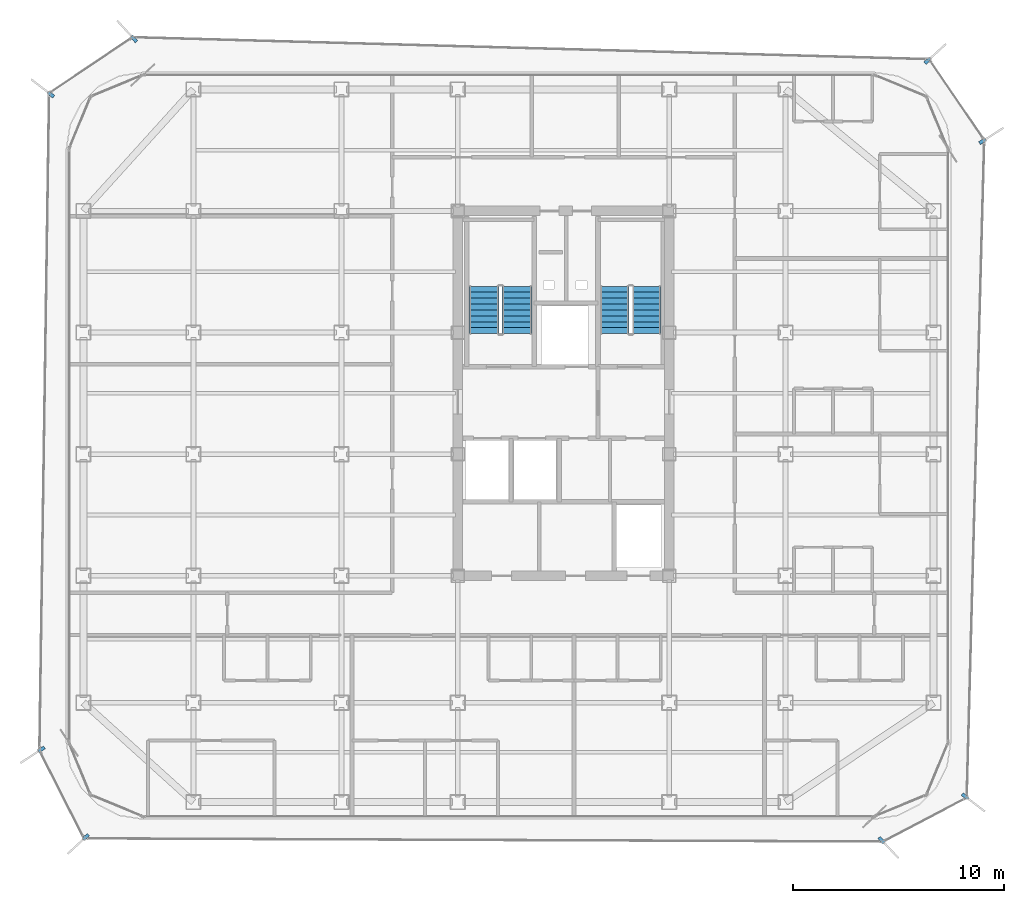
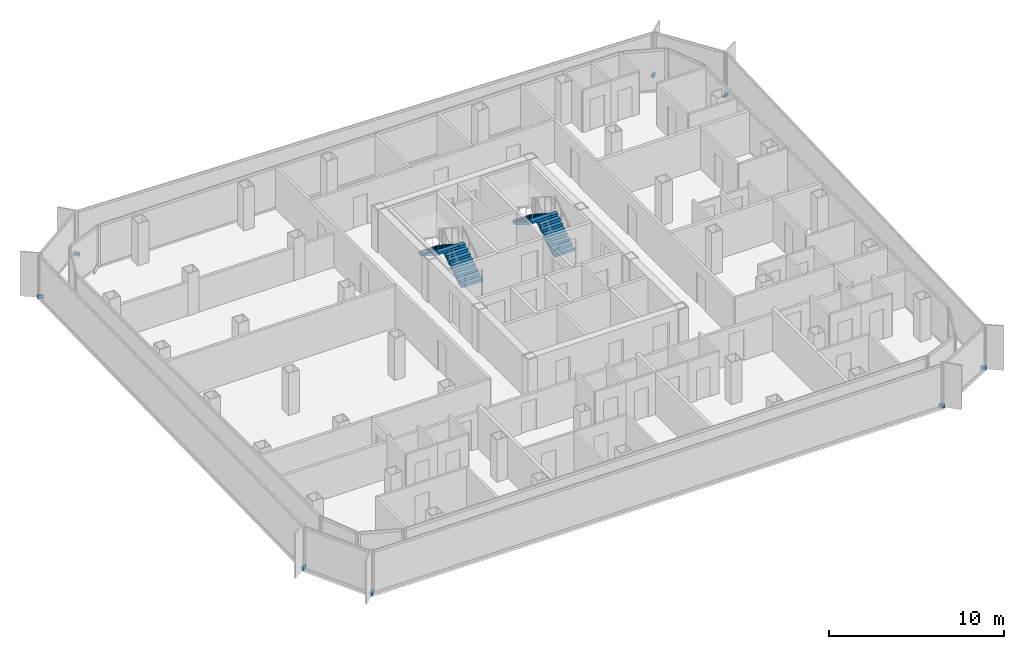
# One storey, part 13 of 16: 8 discrete accessories, 4 stair flights, 2 elements without a shape of their own.
"""IFC4 building model written with IfcOpenShell, lengths in metres."""

from ifc_helpers import new_model, si_unit, direction, frame, origin, origin_2d, place, context, subcontext, project, spatial, polyline, rectangle, outline, extrude, source, transform, mapped, material, layer, layer_set, type_object, element, aggregate, save


model = new_model("IFC4")

# Units and contexts
model_context = context("Model", 3, precision=1e-05, world=origin(), true_north=direction((0.0, 1.0)))
body_context = subcontext(model_context, "Body", "Model", "MODEL_VIEW")
ifc_project = project(units=[si_unit("LENGTHUNIT", "METRE"), si_unit("AREAUNIT", "SQUARE_METRE"), si_unit("VOLUMEUNIT", "CUBIC_METRE"), si_unit("PLANEANGLEUNIT", "RADIAN"), si_unit("MASSUNIT", "GRAM", prefix="KILO")], contexts=[model_context])

# Site, building, storey
site_placement = place(None, origin())
site = spatial("IfcSite", under=ifc_project, at=site_placement, CompositionType="ELEMENT")
building_placement = place(site_placement, origin())
building = spatial("IfcBuilding", under=site, at=building_placement, Name="Kolveth Station Tower", CompositionType="ELEMENT")
storey_placement = place(building_placement, frame((0.0, 0.0, 175.300048828125)))
storey = spatial("IfcBuildingStorey", under=building, at=storey_placement, Name="L49", CompositionType="ELEMENT", Elevation=175.300048828125)

# Stair, stair flights
ifc_material_1 = material(Name="Concrete C40/50", Category="concrete")
stair_type_1 = type_object("IfcStairType", Name="Stair_ST1", PredefinedType="HALF_TURN_STAIR", material=ifc_material_1)
stair_1_placement = place(storey_placement, origin())
stair_1 = element("IfcStair", 1, at=stair_1_placement, inside=storey, type_object=stair_type_1, Name="L49 Tower Exit Stair ST1", PredefinedType="HALF_TURN_STAIR")
ifc_layer_1 = layer(ifc_material_1, 0.179931640625)
ifc_layer_set_1 = layer_set([ifc_layer_1], Name="Concrete C40/50")
stair_flight_type_1 = type_object("IfcStairFlightType", Name="Flight_ST1", PredefinedType="STRAIGHT", material=ifc_layer_set_1)
stair_flight_1_placement = place(storey_placement, frame((21.300048828125, 22.949951171875, 0.0), z_axis=(0.0, 0.0, 1.0), x_axis=(0.0, 1.0, 0.0)))
stair_flight_1 = element("IfcStairFlight", 2, at=stair_flight_1_placement, type_object=stair_flight_type_1, Name="ST1 flight 1", NumberOfRisers=9, NumberOfTreads=8, PredefinedType="STRAIGHT", RiserHeight=0.177777778, TreadLength=0.28, context=body_context, shape_type="SweptSolid", body=[
    extrude(outline(polyline([(0.0, 0.0), (0.0, 0.177734375), (0.280029296875, 0.177734375), (0.280029296875, 0.35546875), (0.56005859375, 0.35546875), (0.56005859375, 0.533447265625), (0.840087890625, 0.533447265625), (0.840087890625, 0.711181640625), (1.1201171875, 0.711181640625), (1.1201171875, 0.888916015625), (1.39990234375, 0.888916015625), (1.39990234375, 1.066650390625), (1.679931640625, 1.066650390625), (1.679931640625, 1.244384765625), (1.9599609375, 1.244384765625), (1.9599609375, 1.422119140625), (2.239990234375, 1.422119140625), (2.239990234375, 1.60009765625), (2.239990234375, 1.24462890625), (0.27978515625, 0.0), (0.0, 0.0)])), frame((0.0, 0.699951171875, 0.0), z_axis=(0.0, -1.0, 0.0), x_axis=(1.0, 0.0, 0.0)), (0.0, 0.0, 1.0), 1.39990234375),
])
stair_flight_2_placement = place(storey_placement, frame((19.739990234375, 25.18994140625, 1.599853515625), z_axis=(0.0, 0.0, 1.0), x_axis=(0.0, -1.0, 0.0)))
stair_flight_2 = element("IfcStairFlight", 3, at=stair_flight_2_placement, type_object=stair_flight_type_1, Name="ST1 flight 2", NumberOfRisers=9, NumberOfTreads=8, PredefinedType="STRAIGHT", RiserHeight=0.177777778, TreadLength=0.28, context=body_context, shape_type="SweptSolid", body=[
    extrude(outline(polyline([(0.0, 0.0), (0.0, 0.177734375), (0.280029296875, 0.177734375), (0.280029296875, 0.35546875), (0.56005859375, 0.35546875), (0.56005859375, 0.533447265625), (0.840087890625, 0.533447265625), (0.840087890625, 0.711181640625), (1.1201171875, 0.711181640625), (1.1201171875, 0.888916015625), (1.39990234375, 0.888916015625), (1.39990234375, 1.066650390625), (1.679931640625, 1.066650390625), (1.679931640625, 1.244384765625), (1.9599609375, 1.244384765625), (1.9599609375, 1.422119140625), (2.239990234375, 1.422119140625), (2.239990234375, 1.60009765625), (2.239990234375, 1.24462890625), (0.27978515625, 0.0), (0.0, 0.0)])), frame((0.0, 0.699951171875, 0.0), z_axis=(0.0, -1.0, 0.0), x_axis=(1.0, 0.0, 0.0)), (0.0, 0.0, 1.0), 1.39990234375),
])
aggregate(stair_1, [stair_flight_1, stair_flight_2])

stair_type_2 = type_object("IfcStairType", Name="Stair_ST2", PredefinedType="HALF_TURN_STAIR", material=ifc_material_1)
stair_2_placement = place(storey_placement, origin())
stair_2 = element("IfcStair", 4, at=stair_2_placement, inside=storey, type_object=stair_type_2, Name="L49 Tower Exit Stair ST2", PredefinedType="HALF_TURN_STAIR")
ifc_layer_2 = layer(ifc_material_1, 0.179931640625)
ifc_layer_set_2 = layer_set([ifc_layer_2], Name="Concrete C40/50")
stair_flight_type_2 = type_object("IfcStairFlightType", Name="Flight_ST2", PredefinedType="STRAIGHT", material=ifc_layer_set_2)
stair_flight_3_placement = place(storey_placement, frame((27.425048828125, 22.949951171875, 0.0), z_axis=(0.0, 0.0, 1.0), x_axis=(0.0, 1.0, 0.0)))
stair_flight_3 = element("IfcStairFlight", 5, at=stair_flight_3_placement, type_object=stair_flight_type_2, Name="ST2 flight 1", NumberOfRisers=9, NumberOfTreads=8, PredefinedType="STRAIGHT", RiserHeight=0.177777778, TreadLength=0.28, context=body_context, shape_type="SweptSolid", body=[
    extrude(outline(polyline([(0.0, 0.0), (0.0, 0.177734375), (0.280029296875, 0.177734375), (0.280029296875, 0.35546875), (0.56005859375, 0.35546875), (0.56005859375, 0.533447265625), (0.840087890625, 0.533447265625), (0.840087890625, 0.711181640625), (1.1201171875, 0.711181640625), (1.1201171875, 0.888916015625), (1.39990234375, 0.888916015625), (1.39990234375, 1.066650390625), (1.679931640625, 1.066650390625), (1.679931640625, 1.244384765625), (1.9599609375, 1.244384765625), (1.9599609375, 1.422119140625), (2.239990234375, 1.422119140625), (2.239990234375, 1.60009765625), (2.239990234375, 1.24462890625), (0.27978515625, 0.0), (0.0, 0.0)])), frame((0.0, 0.675048828125, 0.0), z_axis=(0.0, -1.0, 0.0), x_axis=(1.0, 0.0, 0.0)), (0.0, 0.0, 1.0), 1.35009765625),
])
stair_flight_4_placement = place(storey_placement, frame((25.9150390625, 25.18994140625, 1.599853515625), z_axis=(0.0, 0.0, 1.0), x_axis=(0.0, -1.0, 0.0)))
stair_flight_4 = element("IfcStairFlight", 6, at=stair_flight_4_placement, type_object=stair_flight_type_2, Name="ST2 flight 2", NumberOfRisers=9, NumberOfTreads=8, PredefinedType="STRAIGHT", RiserHeight=0.177777778, TreadLength=0.28, context=body_context, shape_type="SweptSolid", body=[
    extrude(outline(polyline([(0.0, 0.0), (0.0, 0.177734375), (0.280029296875, 0.177734375), (0.280029296875, 0.35546875), (0.56005859375, 0.35546875), (0.56005859375, 0.533447265625), (0.840087890625, 0.533447265625), (0.840087890625, 0.711181640625), (1.1201171875, 0.711181640625), (1.1201171875, 0.888916015625), (1.39990234375, 0.888916015625), (1.39990234375, 1.066650390625), (1.679931640625, 1.066650390625), (1.679931640625, 1.244384765625), (1.9599609375, 1.244384765625), (1.9599609375, 1.422119140625), (2.239990234375, 1.422119140625), (2.239990234375, 1.60009765625), (2.239990234375, 1.24462890625), (0.27978515625, 0.0), (0.0, 0.0)])), frame((0.0, 0.675048828125, 0.0), z_axis=(0.0, -1.0, 0.0), x_axis=(1.0, 0.0, 0.0)), (0.0, 0.0, 1.0), 1.35009765625),
])
aggregate(stair_2, [stair_flight_3, stair_flight_4])

# Discrete accessories
ifc_material_2 = material(Name="Steel S355", Category="steel")
discrete_accessory_type = type_object("IfcDiscreteAccessoryType", Name="Bracket_BK1", PredefinedType="BRACKET", material=ifc_material_2)
shared_shape = source(origin(), body_context, "Body", "SweptSolid", [
    extrude(rectangle(XDim=0.35009765625, YDim=0.159912109375, at=origin_2d()), origin(), (0.0, 0.0, 1.0), 0.219970703125),
])
for number, where, z_axis, x_axis, name in (
    (7, (38.5390625, -1.001953125, -0.06005859375), (0.0, 0.0, 1.0), (0.687087510804, -0.726574670971, 0.0), "L49 Double-Skin Radial Tie Bracket 1"),
    (8, (42.491943359375, 1.069091796875, -0.06005859375), (0.0, 0.0, 1.0), (0.793140794136, -0.609038324474, 0.0), "L49 Double-Skin Radial Tie Bracket 2"),
    (9, (43.31591796875, 32.050048828125, -0.06005859375), (0.0, 0.0, 1.0), (0.841322151234, 0.540534030235, 0.0), "L49 Double-Skin Radial Tie Bracket 3"),
    (10, (40.718994140625, 35.85400390625, -0.06005859375), (0.0, 0.0, 1.0), (0.73645139763, 0.676490457382, 0.0), "L49 Double-Skin Radial Tie Bracket 4"),
    (11, (3.18798828125, 36.885986328125, -0.06005859375), (0.0, 0.0, 1.0), (-0.677389697402, 0.735624359204, 0.0), "L49 Double-Skin Radial Tie Bracket 5"),
    (12, (-0.739990234375, 34.258056640625, -0.06005859375), (0.0, 0.0, 1.0), (-0.793247079295, 0.608899886015, 0.0), "L49 Double-Skin Radial Tie Bracket 6"),
    (13, (-1.19189453125, 3.291015625, -0.06005859375), (0.0, 0.0, 1.0), (-0.838480401967, -0.544931753083, 0.0), "L49 Double-Skin Radial Tie Bracket 7"),
    (14, (0.907958984375, -0.85595703125, -0.06005859375), (0.0, 0.0, 1.0), (-0.733848438205, -0.679313233894, 0.0), "L49 Double-Skin Radial Tie Bracket 8"),
):
    element("IfcDiscreteAccessory", number, at=place(storey_placement, frame(where, z_axis=z_axis, x_axis=x_axis)), inside=storey, type_object=discrete_accessory_type, Name=name, PredefinedType="BRACKET", context=body_context, shape_type="MappedRepresentation", body=[
        mapped(shared_shape, transform((0.0, 0.0, 0.0), x_axis=(1.0, 0.0, 0.0), y_axis=(0.0, 1.0, 0.0), z_axis=(0.0, 0.0, 1.0), scale=1.0)),
    ])

save(model, "model.ifc")
